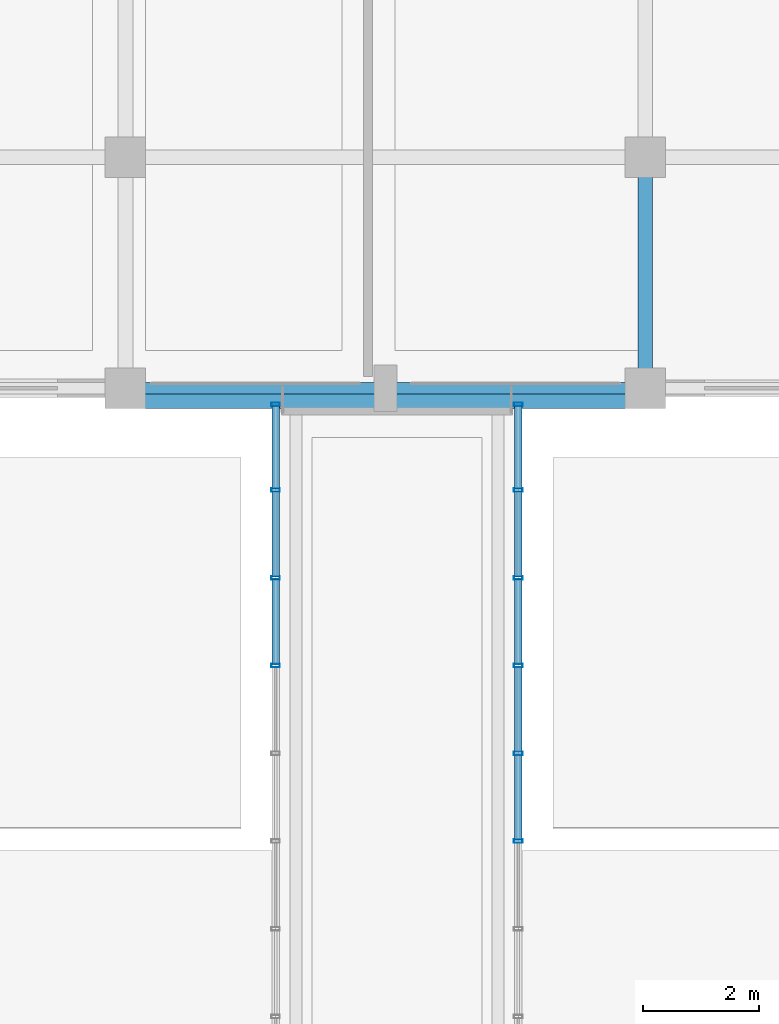
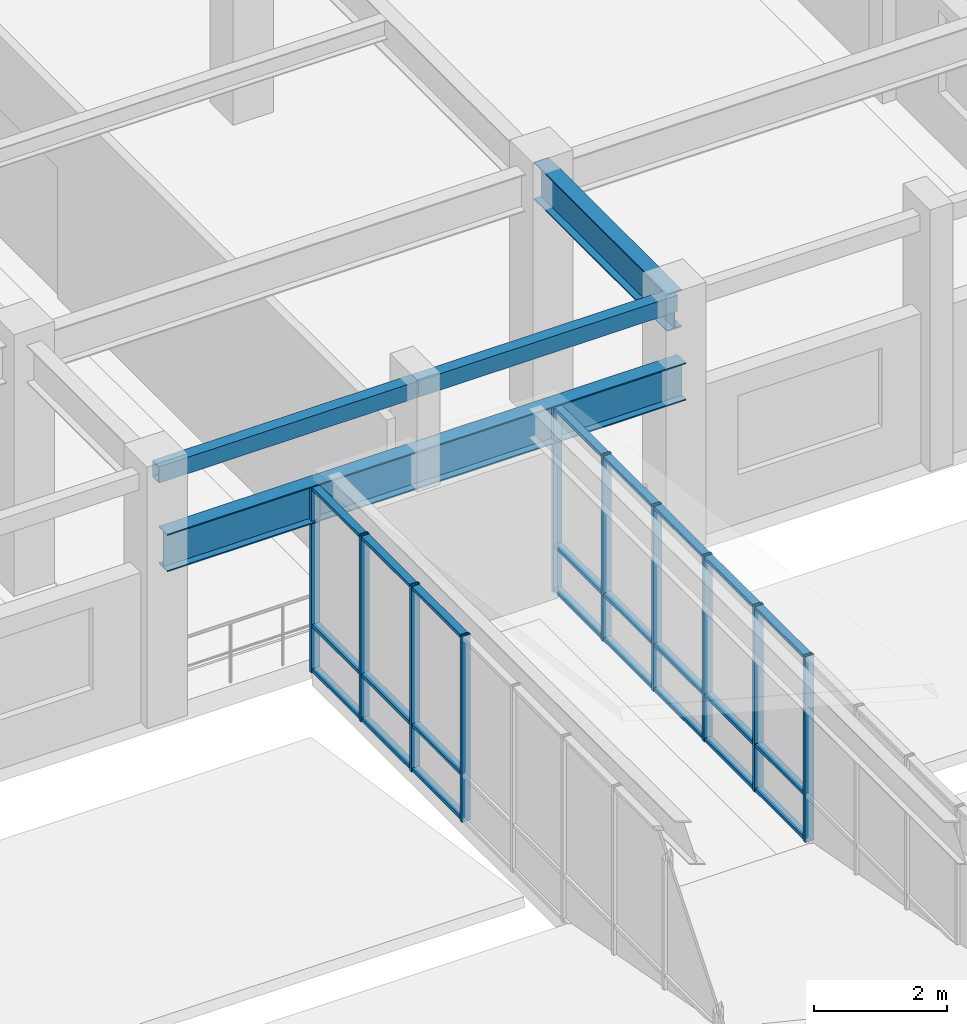
# One storey, part 20 of 104: 34 members, 4 beams, 2 elements without a shape of their own.
"""IFC4 building model written with IfcOpenShell, lengths in metres."""

from ifc_helpers import new_model, si_unit, direction, frame, origin, origin_2d, place, context, subcontext, project, spatial, hollow_rectangle, i_section, extrude, material, layer, layer_set, material_profile, profile_set, type_object, element, aggregate, save


model = new_model("IFC4")

# Units and contexts
model_context = context("Model", 3, precision=1e-05, world=origin(), true_north=direction((0.0, 1.0)))
body_context = subcontext(model_context, "Body", "Model", "MODEL_VIEW")
ifc_project = project(units=[si_unit("LENGTHUNIT", "METRE"), si_unit("AREAUNIT", "SQUARE_METRE"), si_unit("VOLUMEUNIT", "CUBIC_METRE"), si_unit("PLANEANGLEUNIT", "RADIAN"), si_unit("MASSUNIT", "GRAM", prefix="KILO")], contexts=[model_context])

# Site, building, storey
site_placement = place(None, origin())
site = spatial("IfcSite", under=ifc_project, at=site_placement, CompositionType="ELEMENT")
building_placement = place(site_placement, origin())
building = spatial("IfcBuilding", under=site, at=building_placement, Name="Ventoquebrada Cableway Terminal", CompositionType="ELEMENT")
storey_placement = place(building_placement, frame((0.0, 0.0, 4.800048828125)))
storey = spatial("IfcBuildingStorey", under=building, at=storey_placement, Name="L01", CompositionType="ELEMENT", Elevation=4.800048828125)

# Beams
ifc_material_1 = material(Name="Steel ASTM A992 Grade 50", Category="steel")
ifc_material_profile_1 = material_profile(ifc_material_1, i_section(OverallWidth=0.25390625, OverallDepth=0.68798828125, WebThickness=0.01318359375, FlangeThickness=0.02099609375, at=origin_2d()), Name="W27X102")
ifc_profile_set_1 = profile_set([ifc_material_profile_1], Name="Steel ASTM A992 Grade 50")
beam_type_1 = type_object("IfcBeamType", Name="BM-ST04", PredefinedType="BEAM", material=ifc_profile_set_1)
beam_1_placement = place(storey_placement, frame((26.199951171875, 64.0, 4.18603515625), z_axis=(0.0, 1.0, 0.0), x_axis=(-1.0, 0.0, 0.0)))
element("IfcBeam", 1, at=beam_1_placement, inside=storey, type_object=beam_type_1, Name="Primary frame girder FBM-0421", PredefinedType="BEAM", context=body_context, shape_type="SweptSolid", body=[
    extrude(i_section(OverallWidth=0.25390625, OverallDepth=0.68798828125, WebThickness=0.01318359375, FlangeThickness=0.02099609375, at=origin_2d()), origin(), (0.0, 0.0, 1.0), 4.0),
])
beam_2_placement = place(storey_placement, frame((17.199951171875, 63.77490234375, 3.100830078125), z_axis=(1.0, 0.0, 0.0), x_axis=(0.0, 1.0, 0.0)))
element("IfcBeam", 2, at=beam_2_placement, inside=storey, type_object=beam_type_1, Name="Bridge roof corbel girder LP-1 FBM-1100", PredefinedType="BEAM", context=body_context, shape_type="SweptSolid", body=[
    extrude(i_section(OverallWidth=0.25390625, OverallDepth=0.68798828125, WebThickness=0.01318359375, FlangeThickness=0.02099609375, at=origin_2d()), origin(), (0.0, 0.0, 1.0), 9.0),
])

# Curtain wall, members
ifc_material_2 = material(Name="Anodized thermally-broken aluminium", Category="aluminium")
ifc_layer = layer(ifc_material_2, 0.159912109375)
ifc_layer_set = layer_set([ifc_layer], Name="Anodized thermally-broken aluminium")
curtain_wall_type = type_object("IfcCurtainWallType", Name="CW-T51", PredefinedType="USERDEFINED", material=ifc_layer_set)
curtain_wall_1_placement = place(storey_placement, origin())
curtain_wall_1 = element("IfcCurtainWall", 3, at=curtain_wall_1_placement, inside=storey, type_object=curtain_wall_type, Name="Unitised glazed curtain wall CW-169", ObjectType="UNITISED CURTAIN WALL", PredefinedType="USERDEFINED")
ifc_material_profile_2 = material_profile(ifc_material_2, hollow_rectangle(XDim=0.06005859375, YDim=0.14990234375, WallThickness=0.00390625, at=origin_2d()), Name="CW-MUL-60X150")
ifc_profile_set_2 = profile_set([ifc_material_profile_2], Name="Anodized thermally-broken aluminium")
member_type_1 = type_object("IfcMemberType", Name="CWM-03", PredefinedType="MULLION", material=ifc_profile_set_2)
member_1_placement = place(storey_placement, frame((19.800048828125, 59.197998046875, -0.008056640625), z_axis=(0.0, 0.0, 1.0), x_axis=(0.0, 1.0, 0.0)))
member_1 = element("IfcMember", 4, at=member_1_placement, type_object=member_type_1, Name="Curtain wall mullion FML-0826", PredefinedType="MULLION", context=body_context, shape_type="SweptSolid", body=[
    extrude(hollow_rectangle(XDim=0.06005859375, YDim=0.14990234375, WallThickness=0.00390625, at=origin_2d()), origin(), (0.0, 0.0, 1.0), 3.4130859375),
])
member_2_placement = place(storey_placement, frame((19.800048828125, 60.717041015625, -0.008056640625), z_axis=(0.0, 0.0, 1.0), x_axis=(0.0, 1.0, 0.0)))
member_2 = element("IfcMember", 5, at=member_2_placement, type_object=member_type_1, Name="Curtain wall mullion FML-0827", PredefinedType="MULLION", context=body_context, shape_type="SweptSolid", body=[
    extrude(hollow_rectangle(XDim=0.06005859375, YDim=0.14990234375, WallThickness=0.00390625, at=origin_2d()), origin(), (0.0, 0.0, 1.0), 3.4130859375),
])
member_3_placement = place(storey_placement, frame((19.800048828125, 62.236083984375, -0.008056640625), z_axis=(0.0, 0.0, 1.0), x_axis=(0.0, 1.0, 0.0)))
member_3 = element("IfcMember", 6, at=member_3_placement, type_object=member_type_1, Name="Curtain wall mullion FML-0828", PredefinedType="MULLION", context=body_context, shape_type="SweptSolid", body=[
    extrude(hollow_rectangle(XDim=0.06005859375, YDim=0.14990234375, WallThickness=0.00390625, at=origin_2d()), origin(), (0.0, 0.0, 1.0), 3.4130859375),
])
member_4_placement = place(storey_placement, frame((19.800048828125, 63.719970703125, -0.008056640625), z_axis=(0.0, 0.0, 1.0), x_axis=(0.0, 1.0, 0.0)))
member_4 = element("IfcMember", 7, at=member_4_placement, type_object=member_type_1, Name="Curtain wall mullion FML-0829", PredefinedType="MULLION", context=body_context, shape_type="SweptSolid", body=[
    extrude(hollow_rectangle(XDim=0.06005859375, YDim=0.14990234375, WallThickness=0.00390625, at=origin_2d()), origin(), (0.0, 0.0, 1.0), 3.4130859375),
])

curtain_wall_2_placement = place(storey_placement, origin())
curtain_wall_2 = element("IfcCurtainWall", 8, at=curtain_wall_2_placement, inside=storey, type_object=curtain_wall_type, Name="Unitised glazed curtain wall CW-170", ObjectType="UNITISED CURTAIN WALL", PredefinedType="USERDEFINED")
member_5_placement = place(storey_placement, frame((24.0, 63.719970703125, -0.008056640625), z_axis=(0.0, 0.0, 1.0), x_axis=(0.0, -1.0, 0.0)))
member_5 = element("IfcMember", 9, at=member_5_placement, type_object=member_type_1, Name="Curtain wall mullion FML-0830", PredefinedType="MULLION", context=body_context, shape_type="SweptSolid", body=[
    extrude(hollow_rectangle(XDim=0.06005859375, YDim=0.14990234375, WallThickness=0.00390625, at=origin_2d()), origin(), (0.0, 0.0, 1.0), 3.4130859375),
])
member_6_placement = place(storey_placement, frame((24.0, 62.236083984375, -0.008056640625), z_axis=(0.0, 0.0, 1.0), x_axis=(0.0, -1.0, 0.0)))
member_6 = element("IfcMember", 10, at=member_6_placement, type_object=member_type_1, Name="Curtain wall mullion FML-0831", PredefinedType="MULLION", context=body_context, shape_type="SweptSolid", body=[
    extrude(hollow_rectangle(XDim=0.06005859375, YDim=0.14990234375, WallThickness=0.00390625, at=origin_2d()), origin(), (0.0, 0.0, 1.0), 3.4130859375),
])
member_7_placement = place(storey_placement, frame((24.0, 60.717041015625, -0.008056640625), z_axis=(0.0, 0.0, 1.0), x_axis=(0.0, -1.0, 0.0)))
member_7 = element("IfcMember", 11, at=member_7_placement, type_object=member_type_1, Name="Curtain wall mullion FML-0832", PredefinedType="MULLION", context=body_context, shape_type="SweptSolid", body=[
    extrude(hollow_rectangle(XDim=0.06005859375, YDim=0.14990234375, WallThickness=0.00390625, at=origin_2d()), origin(), (0.0, 0.0, 1.0), 3.4130859375),
])
member_8_placement = place(storey_placement, frame((24.0, 59.197998046875, -0.008056640625), z_axis=(0.0, 0.0, 1.0), x_axis=(0.0, -1.0, 0.0)))
member_8 = element("IfcMember", 12, at=member_8_placement, type_object=member_type_1, Name="Curtain wall mullion FML-0833", PredefinedType="MULLION", context=body_context, shape_type="SweptSolid", body=[
    extrude(hollow_rectangle(XDim=0.06005859375, YDim=0.14990234375, WallThickness=0.00390625, at=origin_2d()), origin(), (0.0, 0.0, 1.0), 3.4130859375),
])
member_9_placement = place(storey_placement, frame((24.0, 57.678955078125, -0.008056640625), z_axis=(0.0, 0.0, 1.0), x_axis=(0.0, -1.0, 0.0)))
member_9 = element("IfcMember", 13, at=member_9_placement, type_object=member_type_1, Name="Curtain wall mullion FML-0834", PredefinedType="MULLION", context=body_context, shape_type="SweptSolid", body=[
    extrude(hollow_rectangle(XDim=0.06005859375, YDim=0.14990234375, WallThickness=0.00390625, at=origin_2d()), origin(), (0.0, 0.0, 1.0), 3.4130859375),
])
member_10_placement = place(storey_placement, frame((24.0, 56.159912109375, -0.008056640625), z_axis=(0.0, 0.0, 1.0), x_axis=(0.0, -1.0, 0.0)))
member_10 = element("IfcMember", 14, at=member_10_placement, type_object=member_type_1, Name="Curtain wall mullion FML-0835", PredefinedType="MULLION", context=body_context, shape_type="SweptSolid", body=[
    extrude(hollow_rectangle(XDim=0.06005859375, YDim=0.14990234375, WallThickness=0.00390625, at=origin_2d()), origin(), (0.0, 0.0, 1.0), 3.4130859375),
])

# Member
ifc_material_profile_3 = material_profile(ifc_material_2, hollow_rectangle(XDim=0.06005859375, YDim=0.1298828125, WallThickness=0.00390625, at=origin_2d()), Name="CW-TRN-60X130")
ifc_profile_set_3 = profile_set([ifc_material_profile_3], Name="Anodized thermally-broken aluminium")
member_type_2 = type_object("IfcMemberType", Name="CWT-02", PredefinedType="USERDEFINED", material=ifc_profile_set_3)
member_11_placement = place(storey_placement, frame((19.800048828125, 59.222900390625, 0.034912109375), z_axis=(0.0, 1.0, 0.0), x_axis=(0.0, 0.0, 1.0)))
member_11 = element("IfcMember", 15, at=member_11_placement, type_object=member_type_2, Name="Curtain wall transom FTR-2420", ObjectType="TRANSOM", PredefinedType="USERDEFINED", context=body_context, shape_type="SweptSolid", body=[
    extrude(hollow_rectangle(XDim=0.06005859375, YDim=0.1298828125, WallThickness=0.00390625, at=origin_2d()), origin(), (0.0, 0.0, 1.0), 1.468994140625),
])

member_12_placement = place(storey_placement, frame((19.800048828125, 59.222900390625, 0.849853515625), z_axis=(0.0, 1.0, 0.0), x_axis=(0.0, 0.0, 1.0)))
member_12 = element("IfcMember", 16, at=member_12_placement, type_object=member_type_2, Name="Curtain wall transom FTR-2421", ObjectType="TRANSOM", PredefinedType="USERDEFINED", context=body_context, shape_type="SweptSolid", body=[
    extrude(hollow_rectangle(XDim=0.06005859375, YDim=0.1298828125, WallThickness=0.00390625, at=origin_2d()), origin(), (0.0, 0.0, 1.0), 1.468994140625),
])

member_13_placement = place(storey_placement, frame((19.800048828125, 59.222900390625, 3.364990234375), z_axis=(0.0, 1.0, 0.0), x_axis=(0.0, 0.0, 1.0)))
member_13 = element("IfcMember", 17, at=member_13_placement, type_object=member_type_2, Name="Curtain wall transom FTR-2422", ObjectType="TRANSOM", PredefinedType="USERDEFINED", context=body_context, shape_type="SweptSolid", body=[
    extrude(hollow_rectangle(XDim=0.06005859375, YDim=0.1298828125, WallThickness=0.00390625, at=origin_2d()), origin(), (0.0, 0.0, 1.0), 1.468994140625),
])

member_14_placement = place(storey_placement, frame((19.800048828125, 60.741943359375, 0.034912109375), z_axis=(0.0, 1.0, 0.0), x_axis=(0.0, 0.0, 1.0)))
member_14 = element("IfcMember", 18, at=member_14_placement, type_object=member_type_2, Name="Curtain wall transom FTR-2423", ObjectType="TRANSOM", PredefinedType="USERDEFINED", context=body_context, shape_type="SweptSolid", body=[
    extrude(hollow_rectangle(XDim=0.06005859375, YDim=0.1298828125, WallThickness=0.00390625, at=origin_2d()), origin(), (0.0, 0.0, 1.0), 1.468994140625),
])

member_15_placement = place(storey_placement, frame((19.800048828125, 60.741943359375, 0.849853515625), z_axis=(0.0, 1.0, 0.0), x_axis=(0.0, 0.0, 1.0)))
member_15 = element("IfcMember", 19, at=member_15_placement, type_object=member_type_2, Name="Curtain wall transom FTR-2424", ObjectType="TRANSOM", PredefinedType="USERDEFINED", context=body_context, shape_type="SweptSolid", body=[
    extrude(hollow_rectangle(XDim=0.06005859375, YDim=0.1298828125, WallThickness=0.00390625, at=origin_2d()), origin(), (0.0, 0.0, 1.0), 1.468994140625),
])

member_16_placement = place(storey_placement, frame((19.800048828125, 60.741943359375, 3.364990234375), z_axis=(0.0, 1.0, 0.0), x_axis=(0.0, 0.0, 1.0)))
member_16 = element("IfcMember", 20, at=member_16_placement, type_object=member_type_2, Name="Curtain wall transom FTR-2425", ObjectType="TRANSOM", PredefinedType="USERDEFINED", context=body_context, shape_type="SweptSolid", body=[
    extrude(hollow_rectangle(XDim=0.06005859375, YDim=0.1298828125, WallThickness=0.00390625, at=origin_2d()), origin(), (0.0, 0.0, 1.0), 1.468994140625),
])

member_17_placement = place(storey_placement, frame((19.800048828125, 62.260986328125, 0.034912109375), z_axis=(0.0, 1.0, 0.0), x_axis=(0.0, 0.0, 1.0)))
member_17 = element("IfcMember", 21, at=member_17_placement, type_object=member_type_2, Name="Curtain wall transom FTR-2426", ObjectType="TRANSOM", PredefinedType="USERDEFINED", context=body_context, shape_type="SweptSolid", body=[
    extrude(hollow_rectangle(XDim=0.06005859375, YDim=0.1298828125, WallThickness=0.00390625, at=origin_2d()), origin(), (0.0, 0.0, 1.0), 1.43408203125),
])

member_18_placement = place(storey_placement, frame((19.800048828125, 62.260986328125, 0.849853515625), z_axis=(0.0, 1.0, 0.0), x_axis=(0.0, 0.0, 1.0)))
member_18 = element("IfcMember", 22, at=member_18_placement, type_object=member_type_2, Name="Curtain wall transom FTR-2427", ObjectType="TRANSOM", PredefinedType="USERDEFINED", context=body_context, shape_type="SweptSolid", body=[
    extrude(hollow_rectangle(XDim=0.06005859375, YDim=0.1298828125, WallThickness=0.00390625, at=origin_2d()), origin(), (0.0, 0.0, 1.0), 1.43408203125),
])

member_19_placement = place(storey_placement, frame((19.800048828125, 62.260986328125, 3.364990234375), z_axis=(0.0, 1.0, 0.0), x_axis=(0.0, 0.0, 1.0)))
member_19 = element("IfcMember", 23, at=member_19_placement, type_object=member_type_2, Name="Curtain wall transom FTR-2428", ObjectType="TRANSOM", PredefinedType="USERDEFINED", context=body_context, shape_type="SweptSolid", body=[
    extrude(hollow_rectangle(XDim=0.06005859375, YDim=0.1298828125, WallThickness=0.00390625, at=origin_2d()), origin(), (0.0, 0.0, 1.0), 1.43408203125),
])

aggregate(curtain_wall_1, [member_1, member_2, member_3, member_4, member_11, member_12, member_13, member_14, member_15, member_16, member_17, member_18, member_19])

member_20_placement = place(storey_placement, frame((24.0, 63.695068359375, 0.034912109375), z_axis=(0.0, -1.0, 0.0), x_axis=(0.0, 0.0, 1.0)))
member_20 = element("IfcMember", 24, at=member_20_placement, type_object=member_type_2, Name="Curtain wall transom FTR-2429", ObjectType="TRANSOM", PredefinedType="USERDEFINED", context=body_context, shape_type="SweptSolid", body=[
    extrude(hollow_rectangle(XDim=0.06005859375, YDim=0.1298828125, WallThickness=0.00390625, at=origin_2d()), origin(), (0.0, 0.0, 1.0), 1.43408203125),
])

member_21_placement = place(storey_placement, frame((24.0, 63.695068359375, 0.849853515625), z_axis=(0.0, -1.0, 0.0), x_axis=(0.0, 0.0, 1.0)))
member_21 = element("IfcMember", 25, at=member_21_placement, type_object=member_type_2, Name="Curtain wall transom FTR-2430", ObjectType="TRANSOM", PredefinedType="USERDEFINED", context=body_context, shape_type="SweptSolid", body=[
    extrude(hollow_rectangle(XDim=0.06005859375, YDim=0.1298828125, WallThickness=0.00390625, at=origin_2d()), origin(), (0.0, 0.0, 1.0), 1.43408203125),
])

member_22_placement = place(storey_placement, frame((24.0, 63.695068359375, 3.364990234375), z_axis=(0.0, -1.0, 0.0), x_axis=(0.0, 0.0, 1.0)))
member_22 = element("IfcMember", 26, at=member_22_placement, type_object=member_type_2, Name="Curtain wall transom FTR-2431", ObjectType="TRANSOM", PredefinedType="USERDEFINED", context=body_context, shape_type="SweptSolid", body=[
    extrude(hollow_rectangle(XDim=0.06005859375, YDim=0.1298828125, WallThickness=0.00390625, at=origin_2d()), origin(), (0.0, 0.0, 1.0), 1.43408203125),
])

member_23_placement = place(storey_placement, frame((24.0, 62.2109375, 0.034912109375), z_axis=(0.0, -1.0, 0.0), x_axis=(0.0, 0.0, 1.0)))
member_23 = element("IfcMember", 27, at=member_23_placement, type_object=member_type_2, Name="Curtain wall transom FTR-2432", ObjectType="TRANSOM", PredefinedType="USERDEFINED", context=body_context, shape_type="SweptSolid", body=[
    extrude(hollow_rectangle(XDim=0.06005859375, YDim=0.1298828125, WallThickness=0.00390625, at=origin_2d()), origin(), (0.0, 0.0, 1.0), 1.468994140625),
])

member_24_placement = place(storey_placement, frame((24.0, 62.2109375, 0.849853515625), z_axis=(0.0, -1.0, 0.0), x_axis=(0.0, 0.0, 1.0)))
member_24 = element("IfcMember", 28, at=member_24_placement, type_object=member_type_2, Name="Curtain wall transom FTR-2433", ObjectType="TRANSOM", PredefinedType="USERDEFINED", context=body_context, shape_type="SweptSolid", body=[
    extrude(hollow_rectangle(XDim=0.06005859375, YDim=0.1298828125, WallThickness=0.00390625, at=origin_2d()), origin(), (0.0, 0.0, 1.0), 1.468994140625),
])

member_25_placement = place(storey_placement, frame((24.0, 62.2109375, 3.364990234375), z_axis=(0.0, -1.0, 0.0), x_axis=(0.0, 0.0, 1.0)))
member_25 = element("IfcMember", 29, at=member_25_placement, type_object=member_type_2, Name="Curtain wall transom FTR-2434", ObjectType="TRANSOM", PredefinedType="USERDEFINED", context=body_context, shape_type="SweptSolid", body=[
    extrude(hollow_rectangle(XDim=0.06005859375, YDim=0.1298828125, WallThickness=0.00390625, at=origin_2d()), origin(), (0.0, 0.0, 1.0), 1.468994140625),
])

member_26_placement = place(storey_placement, frame((24.0, 60.69189453125, 0.034912109375), z_axis=(0.0, -1.0, 0.0), x_axis=(0.0, 0.0, 1.0)))
member_26 = element("IfcMember", 30, at=member_26_placement, type_object=member_type_2, Name="Curtain wall transom FTR-2435", ObjectType="TRANSOM", PredefinedType="USERDEFINED", context=body_context, shape_type="SweptSolid", body=[
    extrude(hollow_rectangle(XDim=0.06005859375, YDim=0.1298828125, WallThickness=0.00390625, at=origin_2d()), origin(), (0.0, 0.0, 1.0), 1.468994140625),
])

member_27_placement = place(storey_placement, frame((24.0, 60.69189453125, 0.849853515625), z_axis=(0.0, -1.0, 0.0), x_axis=(0.0, 0.0, 1.0)))
member_27 = element("IfcMember", 31, at=member_27_placement, type_object=member_type_2, Name="Curtain wall transom FTR-2436", ObjectType="TRANSOM", PredefinedType="USERDEFINED", context=body_context, shape_type="SweptSolid", body=[
    extrude(hollow_rectangle(XDim=0.06005859375, YDim=0.1298828125, WallThickness=0.00390625, at=origin_2d()), origin(), (0.0, 0.0, 1.0), 1.468994140625),
])

member_28_placement = place(storey_placement, frame((24.0, 60.69189453125, 3.364990234375), z_axis=(0.0, -1.0, 0.0), x_axis=(0.0, 0.0, 1.0)))
member_28 = element("IfcMember", 32, at=member_28_placement, type_object=member_type_2, Name="Curtain wall transom FTR-2437", ObjectType="TRANSOM", PredefinedType="USERDEFINED", context=body_context, shape_type="SweptSolid", body=[
    extrude(hollow_rectangle(XDim=0.06005859375, YDim=0.1298828125, WallThickness=0.00390625, at=origin_2d()), origin(), (0.0, 0.0, 1.0), 1.468994140625),
])

member_29_placement = place(storey_placement, frame((24.0, 59.173095703125, 0.034912109375), z_axis=(0.0, -1.0, 0.0), x_axis=(0.0, 0.0, 1.0)))
member_29 = element("IfcMember", 33, at=member_29_placement, type_object=member_type_2, Name="Curtain wall transom FTR-2438", ObjectType="TRANSOM", PredefinedType="USERDEFINED", context=body_context, shape_type="SweptSolid", body=[
    extrude(hollow_rectangle(XDim=0.06005859375, YDim=0.1298828125, WallThickness=0.00390625, at=origin_2d()), origin(), (0.0, 0.0, 1.0), 1.468994140625),
])

member_30_placement = place(storey_placement, frame((24.0, 59.173095703125, 0.849853515625), z_axis=(0.0, -1.0, 0.0), x_axis=(0.0, 0.0, 1.0)))
member_30 = element("IfcMember", 34, at=member_30_placement, type_object=member_type_2, Name="Curtain wall transom FTR-2439", ObjectType="TRANSOM", PredefinedType="USERDEFINED", context=body_context, shape_type="SweptSolid", body=[
    extrude(hollow_rectangle(XDim=0.06005859375, YDim=0.1298828125, WallThickness=0.00390625, at=origin_2d()), origin(), (0.0, 0.0, 1.0), 1.468994140625),
])

member_31_placement = place(storey_placement, frame((24.0, 59.173095703125, 3.364990234375), z_axis=(0.0, -1.0, 0.0), x_axis=(0.0, 0.0, 1.0)))
member_31 = element("IfcMember", 35, at=member_31_placement, type_object=member_type_2, Name="Curtain wall transom FTR-2440", ObjectType="TRANSOM", PredefinedType="USERDEFINED", context=body_context, shape_type="SweptSolid", body=[
    extrude(hollow_rectangle(XDim=0.06005859375, YDim=0.1298828125, WallThickness=0.00390625, at=origin_2d()), origin(), (0.0, 0.0, 1.0), 1.468994140625),
])

member_32_placement = place(storey_placement, frame((24.0, 57.654052734375, 0.034912109375), z_axis=(0.0, -1.0, 0.0), x_axis=(0.0, 0.0, 1.0)))
member_32 = element("IfcMember", 36, at=member_32_placement, type_object=member_type_2, Name="Curtain wall transom FTR-2441", ObjectType="TRANSOM", PredefinedType="USERDEFINED", context=body_context, shape_type="SweptSolid", body=[
    extrude(hollow_rectangle(XDim=0.06005859375, YDim=0.1298828125, WallThickness=0.00390625, at=origin_2d()), origin(), (0.0, 0.0, 1.0), 1.468994140625),
])

member_33_placement = place(storey_placement, frame((24.0, 57.654052734375, 0.849853515625), z_axis=(0.0, -1.0, 0.0), x_axis=(0.0, 0.0, 1.0)))
member_33 = element("IfcMember", 37, at=member_33_placement, type_object=member_type_2, Name="Curtain wall transom FTR-2442", ObjectType="TRANSOM", PredefinedType="USERDEFINED", context=body_context, shape_type="SweptSolid", body=[
    extrude(hollow_rectangle(XDim=0.06005859375, YDim=0.1298828125, WallThickness=0.00390625, at=origin_2d()), origin(), (0.0, 0.0, 1.0), 1.468994140625),
])

member_34_placement = place(storey_placement, frame((24.0, 57.654052734375, 3.364990234375), z_axis=(0.0, -1.0, 0.0), x_axis=(0.0, 0.0, 1.0)))
member_34 = element("IfcMember", 38, at=member_34_placement, type_object=member_type_2, Name="Curtain wall transom FTR-2443", ObjectType="TRANSOM", PredefinedType="USERDEFINED", context=body_context, shape_type="SweptSolid", body=[
    extrude(hollow_rectangle(XDim=0.06005859375, YDim=0.1298828125, WallThickness=0.00390625, at=origin_2d()), origin(), (0.0, 0.0, 1.0), 1.468994140625),
])

aggregate(curtain_wall_2, [member_5, member_6, member_7, member_8, member_9, member_10, member_20, member_21, member_22, member_23, member_24, member_25, member_26, member_27, member_28, member_29, member_30, member_31, member_32, member_33, member_34])

# Beams
ifc_material_3 = material(Name="Steel ASTM A500 Grade C", Category="steel")
ifc_material_profile_4 = material_profile(ifc_material_3, hollow_rectangle(XDim=0.199951171875, YDim=0.300048828125, WallThickness=0.012451171875, at=origin_2d()), Name="RHS300X200X12.5")
ifc_profile_set_4 = profile_set([ifc_material_profile_4], Name="Steel ASTM A500 Grade C")
beam_type_2 = type_object("IfcBeamType", Name="SP-ST02", PredefinedType="SPANDREL", material=ifc_profile_set_4)
for number, where, z_axis, x_axis, name in (
    (39, (17.199951171875, 64.0, 4.3798828125), (1.0, 0.0, 0.0), (0.0, 1.0, 0.0), "Perimeter spandrel beam FBM-0379"),
    (40, (21.699951171875, 64.0, 4.3798828125), (1.0, 0.0, 0.0), (0.0, 1.0, 0.0), "Perimeter spandrel beam FBM-0380"),
):
    element("IfcBeam", number, at=place(storey_placement, frame(where, z_axis=z_axis, x_axis=x_axis)), inside=storey, type_object=beam_type_2, Name=name, PredefinedType="SPANDREL", context=body_context, shape_type="SweptSolid", body=[
        extrude(hollow_rectangle(XDim=0.199951171875, YDim=0.300048828125, WallThickness=0.012451171875, at=origin_2d()), origin(), (0.0, 0.0, 1.0), 4.5),
    ])

save(model, "model.ifc")
